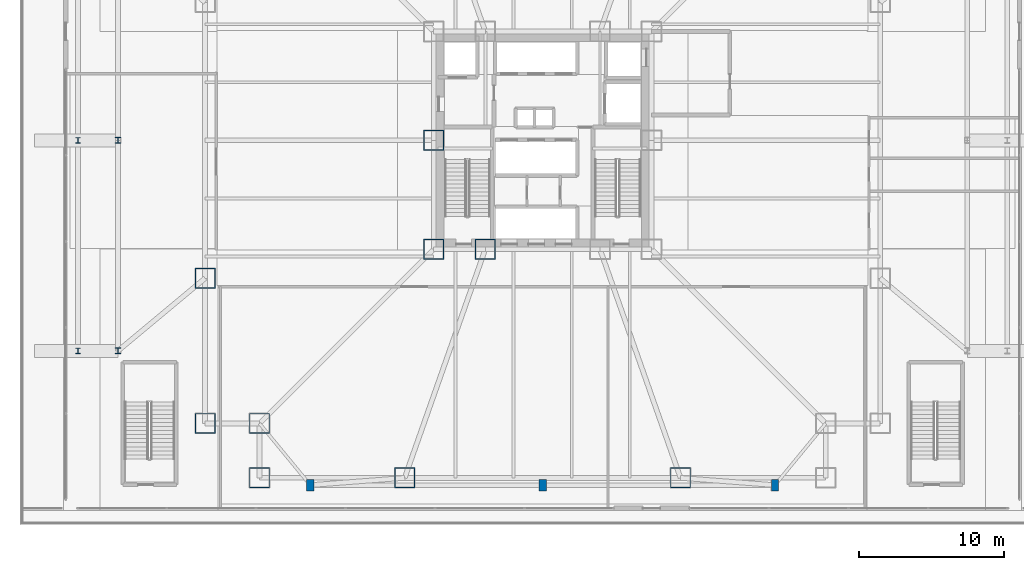
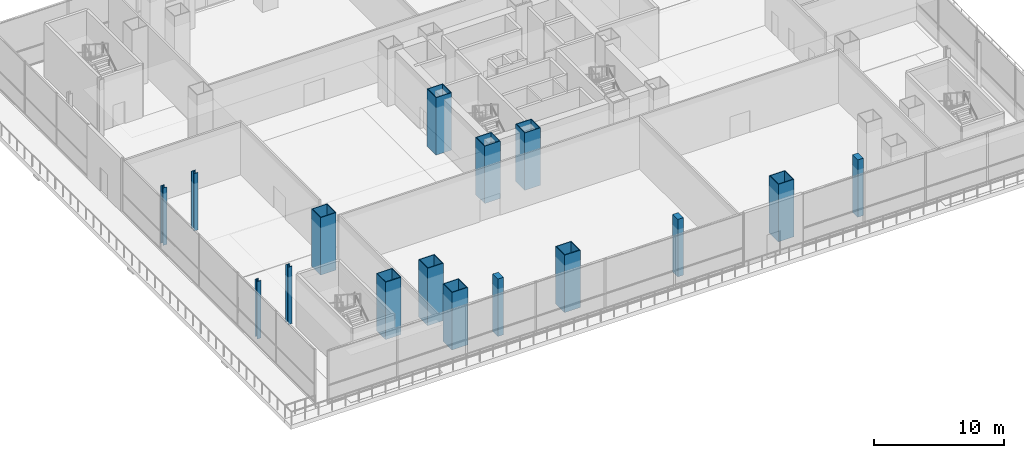
# One storey, part 1 of 36: 16 columns.
"""IFC4 building model written with IfcOpenShell, lengths in metres."""

from ifc_helpers import new_model, si_unit, direction, frame, origin, origin_2d, place, context, subcontext, project, spatial, rectangle, hollow_rectangle, i_section, extrude, material, material_profile, profile_set, type_object, element, save


model = new_model("IFC4")

# Units and contexts
model_context = context("Model", 3, precision=1e-05, world=origin(), true_north=direction((0.0, 1.0)))
body_context = subcontext(model_context, "Body", "Model", "MODEL_VIEW")
ifc_project = project(units=[si_unit("LENGTHUNIT", "METRE"), si_unit("AREAUNIT", "SQUARE_METRE"), si_unit("VOLUMEUNIT", "CUBIC_METRE"), si_unit("PLANEANGLEUNIT", "RADIAN"), si_unit("MASSUNIT", "GRAM", prefix="KILO")], contexts=[model_context])

# Site, building, storey
site_placement = place(None, origin())
site = spatial("IfcSite", under=ifc_project, at=site_placement, CompositionType="ELEMENT")
building_placement = place(site_placement, origin())
building = spatial("IfcBuilding", under=site, at=building_placement, Name="Trevonay Congress Spire", CompositionType="ELEMENT")
storey_placement = place(building_placement, frame((0.0, 0.0, 16.199951171875)))
storey = spatial("IfcBuildingStorey", under=building, at=storey_placement, Name="L03", CompositionType="ELEMENT", Elevation=16.199951171875)

# Columns
ifc_material_1 = material(Name="Steel ASTM A572 Grade 50", Category="steel")
ifc_material_profile_1 = material_profile(ifc_material_1, hollow_rectangle(XDim=1.39990234375, YDim=1.39990234375, WallThickness=0.06005859375, at=origin_2d()), Name="BOX 1400x1400x60")
ifc_profile_set_1 = profile_set([ifc_material_profile_1], Name="Steel ASTM A572 Grade 50")
column_type_1 = type_object("IfcColumnType", Name="COL-CORE-BOX1400", PredefinedType="COLUMN", material=ifc_profile_set_1)
for number, where, z_axis, x_axis, name in (
    (1, (-7.5, -7.5, 0.0), (0.0, 0.0, 1.0), (1.0, 0.0, 0.0), "L03 column C01 at CC-SW"),
    (2, (-3.949951171875, -7.5, 0.0), (0.0, 0.0, 1.0), (1.0, 0.0, 0.0), "L03 column C01 at CC-SMW"),
    (3, (-7.5, 0.0, 0.0), (0.0, 0.0, 1.0), (1.0, 0.0, 0.0), "L03 column C01 at CC-W"),
    (4, (-19.5, -23.25, 0.0), (0.0, 0.0, 1.0), (1.0, 0.0, 0.0), "L03 column C01 at TM-S1"),
    (5, (-9.5, -23.25, 0.0), (0.0, 0.0, 1.0), (1.0, 0.0, 0.0), "L03 column C01 at TM-S2"),
    (6, (9.5, -23.25, 0.0), (0.0, 0.0, 1.0), (1.0, 0.0, 0.0), "L03 column C01 at TM-S5"),
    (7, (-23.25, -19.5, 0.0), (0.0, 0.0, 1.0), (1.0, 0.0, 0.0), "L03 column C01 at TM-W1"),
    (8, (-23.25, -9.5, 0.0), (0.0, 0.0, 1.0), (1.0, 0.0, 0.0), "L03 column C01 at TM-W2"),
    (9, (-19.5, -19.5, 0.0), (0.0, 0.0, 1.0), (1.0, 0.0, 0.0), "L03 column C01 at TM-CSW"),
):
    element("IfcColumn", number, at=place(storey_placement, frame(where, z_axis=z_axis, x_axis=x_axis)), inside=storey, type_object=column_type_1, Name=name, PredefinedType="COLUMN", context=body_context, shape_type="SweptSolid", body=[
        extrude(hollow_rectangle(XDim=1.39990234375, YDim=1.39990234375, WallThickness=0.06005859375, at=origin_2d()), origin(), (0.0, 0.0, 1.0), 5.400146484375),
    ])
ifc_material_2 = material(Name="Concrete C60/75", Category="concrete")
ifc_material_profile_2 = material_profile(ifc_material_2, rectangle(XDim=0.5, YDim=0.800048828125, at=origin_2d()), Name="RC 800x500")
ifc_profile_set_2 = profile_set([ifc_material_profile_2], Name="Concrete C60/75")
column_type_2 = type_object("IfcColumnType", Name="COL-PIL-RC800X500", PredefinedType="PILASTER", material=ifc_profile_set_2)
for number, where, z_axis, x_axis, name in (
    (10, (-16.0, -23.75, 0.0), (0.0, 0.0, 1.0), (1.0, 0.0, 0.0), "L03 column C13 at PS-1"),
    (11, (0.0, -23.75, 0.0), (0.0, 0.0, 1.0), (1.0, 0.0, 0.0), "L03 column C13 at PS-2"),
    (12, (16.0, -23.75, 0.0), (0.0, 0.0, 1.0), (1.0, 0.0, 0.0), "L03 column C13 at PS-3"),
):
    element("IfcColumn", number, at=place(storey_placement, frame(where, z_axis=z_axis, x_axis=x_axis)), inside=storey, type_object=column_type_2, Name=name, PredefinedType="PILASTER", context=body_context, shape_type="SweptSolid", body=[
        extrude(rectangle(XDim=0.5, YDim=0.800048828125, at=origin_2d()), origin(), (0.0, 0.0, 1.0), 5.400146484375),
    ])
ifc_material_profile_3 = material_profile(ifc_material_1, i_section(OverallWidth=0.367919921875, OverallDepth=0.425048828125, WebThickness=0.02978515625, FlangeThickness=0.047607421875, FilletRadius=0.02001953125, at=origin_2d()), Name="W360x421")
ifc_profile_set_3 = profile_set([ifc_material_profile_3], Name="Steel ASTM A572 Grade 50")
column_type_3 = type_object("IfcColumnType", Name="COL-POD-W360X421", PredefinedType="COLUMN", material=ifc_profile_set_3)
for number, where, z_axis, x_axis, name in (
    (13, (-29.25, -14.5, 0.0), (0.0, 0.0, 1.0), (1.0, 0.0, 0.0), "L03 column C08 at PW-1"),
    (14, (-29.25, 0.0, 0.0), (0.0, 0.0, 1.0), (1.0, 0.0, 0.0), "L03 column C08 at PW-2"),
):
    element("IfcColumn", number, at=place(storey_placement, frame(where, z_axis=z_axis, x_axis=x_axis)), inside=storey, type_object=column_type_3, Name=name, PredefinedType="COLUMN", context=body_context, shape_type="SweptSolid", body=[
        extrude(i_section(OverallWidth=0.367919921875, OverallDepth=0.425048828125, WebThickness=0.02978515625, FlangeThickness=0.047607421875, FilletRadius=0.02001953125, at=origin_2d()), origin(), (0.0, 0.0, 1.0), 5.400146484375),
    ])
ifc_material_profile_4 = material_profile(ifc_material_1, i_section(OverallWidth=0.330078125, OverallDepth=0.3798828125, WebThickness=0.016845703125, FlangeThickness=0.027587890625, FilletRadius=0.02001953125, at=origin_2d()), Name="W360x237")
ifc_profile_set_4 = profile_set([ifc_material_profile_4], Name="Steel ASTM A572 Grade 50")
column_type_4 = type_object("IfcColumnType", Name="COL-STEP-W360X237", PredefinedType="COLUMN", material=ifc_profile_set_4)
for number, where, z_axis, x_axis, name in (
    (15, (-32.0, -14.5, -0.39990234375), (0.0, 0.0, 1.0), (1.0, 0.0, 0.0), "L03 column C11 at SW-1"),
    (16, (-32.0, 0.0, -0.39990234375), (0.0, 0.0, 1.0), (1.0, 0.0, 0.0), "L03 column C11 at SW-2"),
):
    element("IfcColumn", number, at=place(storey_placement, frame(where, z_axis=z_axis, x_axis=x_axis)), inside=storey, type_object=column_type_4, Name=name, PredefinedType="COLUMN", context=body_context, shape_type="SweptSolid", body=[
        extrude(i_section(OverallWidth=0.330078125, OverallDepth=0.3798828125, WebThickness=0.016845703125, FlangeThickness=0.027587890625, FilletRadius=0.02001953125, at=origin_2d()), origin(), (0.0, 0.0, 1.0), 5.39990234375),
    ])

save(model, "model.ifc")
